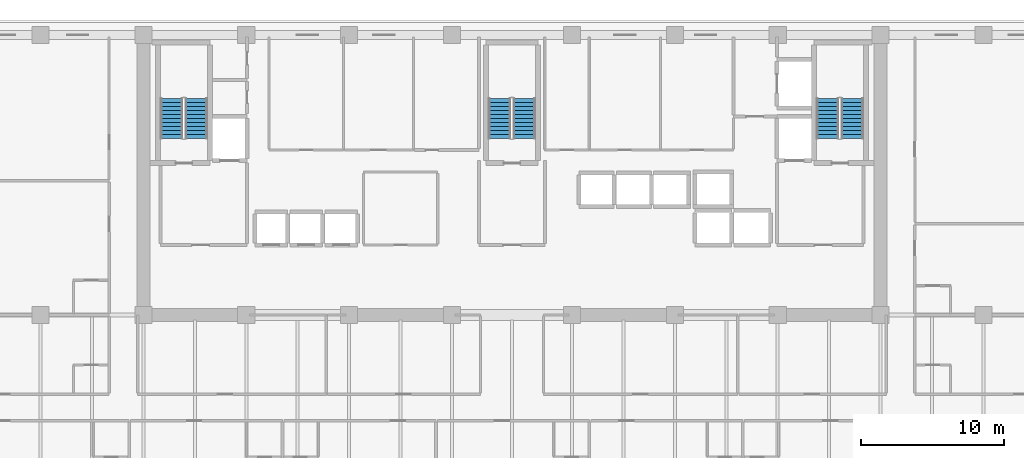
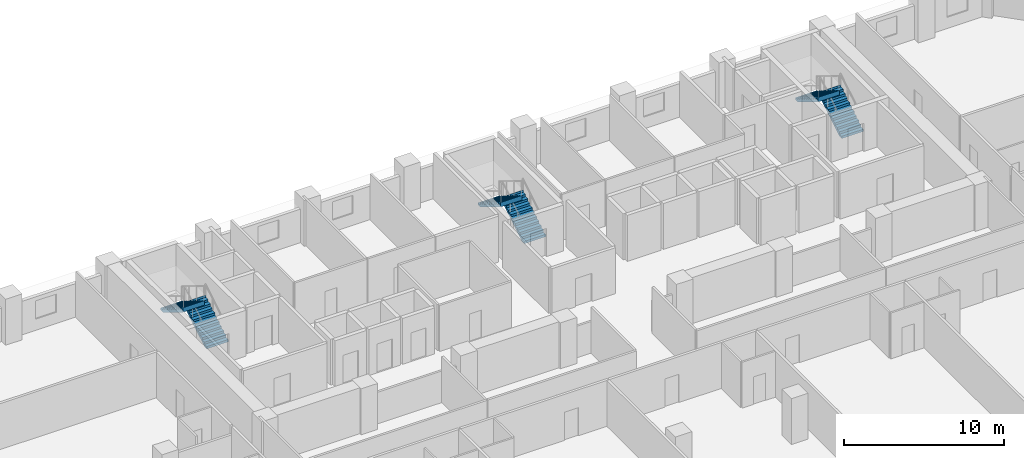
# One storey, part 11 of 15: 6 stair flights, 3 elements without a shape of their own.
"""IFC4 building model written with IfcOpenShell, lengths in metres."""

from ifc_helpers import new_model, si_unit, direction, frame, origin, place, context, subcontext, project, spatial, polyline, outline, extrude, material, type_object, element, aggregate, save


model = new_model("IFC4")

# Units and contexts
model_context = context("Model", 3, precision=1e-05, world=origin(), true_north=direction((0.0, 1.0)))
body_context = subcontext(model_context, "Body", "Model", "MODEL_VIEW")
ifc_project = project(units=[si_unit("LENGTHUNIT", "METRE"), si_unit("AREAUNIT", "SQUARE_METRE"), si_unit("VOLUMEUNIT", "CUBIC_METRE"), si_unit("PLANEANGLEUNIT", "RADIAN"), si_unit("MASSUNIT", "GRAM", prefix="KILO")], contexts=[model_context])

# Site, building, storey
site_placement = place(None, origin())
site = spatial("IfcSite", under=ifc_project, at=site_placement, CompositionType="ELEMENT")
building_placement = place(site_placement, origin())
building = spatial("IfcBuilding", under=site, at=building_placement, Name="Kaelvorn Grand Hotel", CompositionType="ELEMENT")
storey_placement = place(building_placement, frame((0.0, 0.0, 96.800048828125)))
storey = spatial("IfcBuildingStorey", under=building, at=storey_placement, Name="L22", CompositionType="ELEMENT", Elevation=96.800048828125)

# Stair, stair flights
ifc_material = material(Name="Concrete C40/50", Category="concrete")
stair_type = type_object("IfcStairType", Name="STR-DOG-1560-R06", PredefinedType="HALF_TURN_STAIR", material=ifc_material)
stair_1_placement = place(storey_placement, origin())
stair_1 = element("IfcStair", 1, at=stair_1_placement, inside=storey, type_object=stair_type, Name="L22 West Core Exit Stair ST1", PredefinedType="HALF_TURN_STAIR")
stair_flight_type = type_object("IfcStairFlightType", Name="FLG-DOG-1560-R06", PredefinedType="STRAIGHT", material=ifc_material)
stair_flight_1_placement = place(storey_placement, frame((19.89990234375, 41.760009765625, 0.0), z_axis=(0.0, 0.0, 1.0), x_axis=(0.0, 1.0, 0.0)))
stair_flight_1 = element("IfcStairFlight", 2, at=stair_flight_1_placement, type_object=stair_flight_type, Name="ST1 flight 1", NumberOfRisers=11, NumberOfTreads=10, PredefinedType="STRAIGHT", RiserHeight=0.170454545, TreadLength=0.28, context=body_context, shape_type="SweptSolid", body=[
    extrude(outline(polyline([(-0.0048828125, 0.0), (-0.0048828125, 0.0400390625), (0.0, 0.17041015625), (0.280029296875, 0.17041015625), (0.280029296875, 0.3408203125), (0.56005859375, 0.3408203125), (0.56005859375, 0.511474609375), (0.840087890625, 0.511474609375), (0.840087890625, 0.681884765625), (1.1201171875, 0.681884765625), (1.1201171875, 0.852294921875), (1.39990234375, 0.852294921875), (1.39990234375, 1.022705078125), (1.679931640625, 1.022705078125), (1.679931640625, 1.193115234375), (1.9599609375, 1.193115234375), (1.9599609375, 1.363525390625), (2.239990234375, 1.363525390625), (2.239990234375, 1.5341796875), (2.52001953125, 1.5341796875), (2.52001953125, 1.70458984375), (2.800048828125, 1.70458984375), (2.800048828125, 1.875), (2.804931640625, 1.875), (2.804931640625, 1.529052734375), (0.288330078125, 0.0), (-0.0048828125, 0.0)])), frame((0.0, 0.780029296875, 0.0), z_axis=(0.0, -1.0, 0.0), x_axis=(1.0, 0.0, 0.0)), (0.0, 0.0, 1.0), 1.56005859375),
])
stair_flight_2_placement = place(storey_placement, frame((18.179931640625, 44.56005859375, 1.875), z_axis=(0.0, 0.0, 1.0), x_axis=(0.0, -1.0, 0.0)))
stair_flight_2 = element("IfcStairFlight", 3, at=stair_flight_2_placement, type_object=stair_flight_type, Name="ST1 flight 2", NumberOfRisers=11, NumberOfTreads=10, PredefinedType="STRAIGHT", RiserHeight=0.170454545, TreadLength=0.28, context=body_context, shape_type="SweptSolid", body=[
    extrude(outline(polyline([(-0.0048828125, 0.0), (-0.0048828125, 0.0400390625), (0.0, 0.17041015625), (0.280029296875, 0.17041015625), (0.280029296875, 0.3408203125), (0.56005859375, 0.3408203125), (0.56005859375, 0.511474609375), (0.840087890625, 0.511474609375), (0.840087890625, 0.681884765625), (1.1201171875, 0.681884765625), (1.1201171875, 0.852294921875), (1.39990234375, 0.852294921875), (1.39990234375, 1.022705078125), (1.679931640625, 1.022705078125), (1.679931640625, 1.193115234375), (1.9599609375, 1.193115234375), (1.9599609375, 1.363525390625), (2.239990234375, 1.363525390625), (2.239990234375, 1.5341796875), (2.52001953125, 1.5341796875), (2.52001953125, 1.70458984375), (2.800048828125, 1.70458984375), (2.800048828125, 1.875), (2.804931640625, 1.875), (2.804931640625, 1.529052734375), (0.288330078125, 0.0), (-0.0048828125, 0.0)])), frame((0.0, 0.780029296875, 0.0), z_axis=(0.0, -1.0, 0.0), x_axis=(1.0, 0.0, 0.0)), (0.0, 0.0, 1.0), 1.56005859375),
])
aggregate(stair_1, [stair_flight_1, stair_flight_2])

stair_2_placement = place(storey_placement, origin())
stair_2 = element("IfcStair", 4, at=stair_2_placement, inside=storey, type_object=stair_type, Name="L22 Central Core Exit Stair ST2", PredefinedType="HALF_TURN_STAIR")
stair_flight_3_placement = place(storey_placement, frame((42.860107421875, 41.760009765625, 0.0), z_axis=(0.0, 0.0, 1.0), x_axis=(0.0, 1.0, 0.0)))
stair_flight_3 = element("IfcStairFlight", 5, at=stair_flight_3_placement, type_object=stair_flight_type, Name="ST2 flight 1", NumberOfRisers=11, NumberOfTreads=10, PredefinedType="STRAIGHT", RiserHeight=0.170454545, TreadLength=0.28, context=body_context, shape_type="SweptSolid", body=[
    extrude(outline(polyline([(-0.0048828125, 0.0), (-0.0048828125, 0.0400390625), (0.0, 0.17041015625), (0.280029296875, 0.17041015625), (0.280029296875, 0.3408203125), (0.56005859375, 0.3408203125), (0.56005859375, 0.511474609375), (0.840087890625, 0.511474609375), (0.840087890625, 0.681884765625), (1.1201171875, 0.681884765625), (1.1201171875, 0.852294921875), (1.39990234375, 0.852294921875), (1.39990234375, 1.022705078125), (1.679931640625, 1.022705078125), (1.679931640625, 1.193115234375), (1.9599609375, 1.193115234375), (1.9599609375, 1.363525390625), (2.239990234375, 1.363525390625), (2.239990234375, 1.5341796875), (2.52001953125, 1.5341796875), (2.52001953125, 1.70458984375), (2.800048828125, 1.70458984375), (2.800048828125, 1.875), (2.804931640625, 1.875), (2.804931640625, 1.529052734375), (0.288330078125, 0.0), (-0.0048828125, 0.0)])), frame((0.0, 0.780029296875, 0.0), z_axis=(0.0, -1.0, 0.0), x_axis=(1.0, 0.0, 0.0)), (0.0, 0.0, 1.0), 1.56005859375),
])
stair_flight_4_placement = place(storey_placement, frame((41.139892578125, 44.56005859375, 1.875), z_axis=(0.0, 0.0, 1.0), x_axis=(0.0, -1.0, 0.0)))
stair_flight_4 = element("IfcStairFlight", 6, at=stair_flight_4_placement, type_object=stair_flight_type, Name="ST2 flight 2", NumberOfRisers=11, NumberOfTreads=10, PredefinedType="STRAIGHT", RiserHeight=0.170454545, TreadLength=0.28, context=body_context, shape_type="SweptSolid", body=[
    extrude(outline(polyline([(-0.0048828125, 0.0), (-0.0048828125, 0.0400390625), (0.0, 0.17041015625), (0.280029296875, 0.17041015625), (0.280029296875, 0.3408203125), (0.56005859375, 0.3408203125), (0.56005859375, 0.511474609375), (0.840087890625, 0.511474609375), (0.840087890625, 0.681884765625), (1.1201171875, 0.681884765625), (1.1201171875, 0.852294921875), (1.39990234375, 0.852294921875), (1.39990234375, 1.022705078125), (1.679931640625, 1.022705078125), (1.679931640625, 1.193115234375), (1.9599609375, 1.193115234375), (1.9599609375, 1.363525390625), (2.239990234375, 1.363525390625), (2.239990234375, 1.5341796875), (2.52001953125, 1.5341796875), (2.52001953125, 1.70458984375), (2.800048828125, 1.70458984375), (2.800048828125, 1.875), (2.804931640625, 1.875), (2.804931640625, 1.529052734375), (0.288330078125, 0.0), (-0.0048828125, 0.0)])), frame((0.0, 0.780029296875, 0.0), z_axis=(0.0, -1.0, 0.0), x_axis=(1.0, 0.0, 0.0)), (0.0, 0.0, 1.0), 1.56005859375),
])
aggregate(stair_2, [stair_flight_3, stair_flight_4])

stair_3_placement = place(storey_placement, origin())
stair_3 = element("IfcStair", 7, at=stair_3_placement, inside=storey, type_object=stair_type, Name="L22 East Core Exit Stair ST3", PredefinedType="HALF_TURN_STAIR")
stair_flight_5_placement = place(storey_placement, frame((65.820068359375, 41.760009765625, 0.0), z_axis=(0.0, 0.0, 1.0), x_axis=(0.0, 1.0, 0.0)))
stair_flight_5 = element("IfcStairFlight", 8, at=stair_flight_5_placement, type_object=stair_flight_type, Name="ST3 flight 1", NumberOfRisers=11, NumberOfTreads=10, PredefinedType="STRAIGHT", RiserHeight=0.170454545, TreadLength=0.28, context=body_context, shape_type="SweptSolid", body=[
    extrude(outline(polyline([(-0.0048828125, 0.0), (-0.0048828125, 0.0400390625), (0.0, 0.17041015625), (0.280029296875, 0.17041015625), (0.280029296875, 0.3408203125), (0.56005859375, 0.3408203125), (0.56005859375, 0.511474609375), (0.840087890625, 0.511474609375), (0.840087890625, 0.681884765625), (1.1201171875, 0.681884765625), (1.1201171875, 0.852294921875), (1.39990234375, 0.852294921875), (1.39990234375, 1.022705078125), (1.679931640625, 1.022705078125), (1.679931640625, 1.193115234375), (1.9599609375, 1.193115234375), (1.9599609375, 1.363525390625), (2.239990234375, 1.363525390625), (2.239990234375, 1.5341796875), (2.52001953125, 1.5341796875), (2.52001953125, 1.70458984375), (2.800048828125, 1.70458984375), (2.800048828125, 1.875), (2.804931640625, 1.875), (2.804931640625, 1.529052734375), (0.288330078125, 0.0), (-0.0048828125, 0.0)])), frame((0.0, 0.780029296875, 0.0), z_axis=(0.0, -1.0, 0.0), x_axis=(1.0, 0.0, 0.0)), (0.0, 0.0, 1.0), 1.56005859375),
])
stair_flight_6_placement = place(storey_placement, frame((64.10009765625, 44.56005859375, 1.875), z_axis=(0.0, 0.0, 1.0), x_axis=(0.0, -1.0, 0.0)))
stair_flight_6 = element("IfcStairFlight", 9, at=stair_flight_6_placement, type_object=stair_flight_type, Name="ST3 flight 2", NumberOfRisers=11, NumberOfTreads=10, PredefinedType="STRAIGHT", RiserHeight=0.170454545, TreadLength=0.28, context=body_context, shape_type="SweptSolid", body=[
    extrude(outline(polyline([(-0.0048828125, 0.0), (-0.0048828125, 0.0400390625), (0.0, 0.17041015625), (0.280029296875, 0.17041015625), (0.280029296875, 0.3408203125), (0.56005859375, 0.3408203125), (0.56005859375, 0.511474609375), (0.840087890625, 0.511474609375), (0.840087890625, 0.681884765625), (1.1201171875, 0.681884765625), (1.1201171875, 0.852294921875), (1.39990234375, 0.852294921875), (1.39990234375, 1.022705078125), (1.679931640625, 1.022705078125), (1.679931640625, 1.193115234375), (1.9599609375, 1.193115234375), (1.9599609375, 1.363525390625), (2.239990234375, 1.363525390625), (2.239990234375, 1.5341796875), (2.52001953125, 1.5341796875), (2.52001953125, 1.70458984375), (2.800048828125, 1.70458984375), (2.800048828125, 1.875), (2.804931640625, 1.875), (2.804931640625, 1.529052734375), (0.288330078125, 0.0), (-0.0048828125, 0.0)])), frame((0.0, 0.780029296875, 0.0), z_axis=(0.0, -1.0, 0.0), x_axis=(1.0, 0.0, 0.0)), (0.0, 0.0, 1.0), 1.56005859375),
])
aggregate(stair_3, [stair_flight_5, stair_flight_6])

save(model, "model.ifc")
